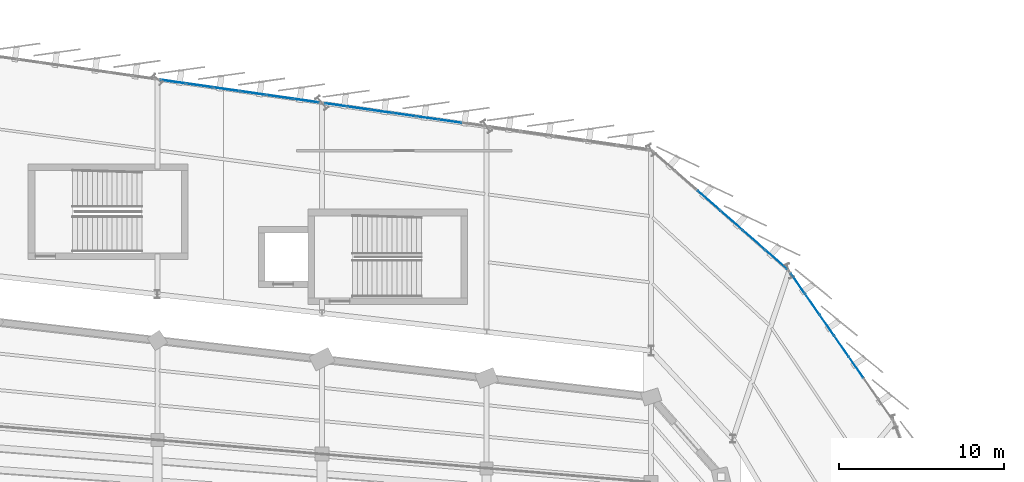
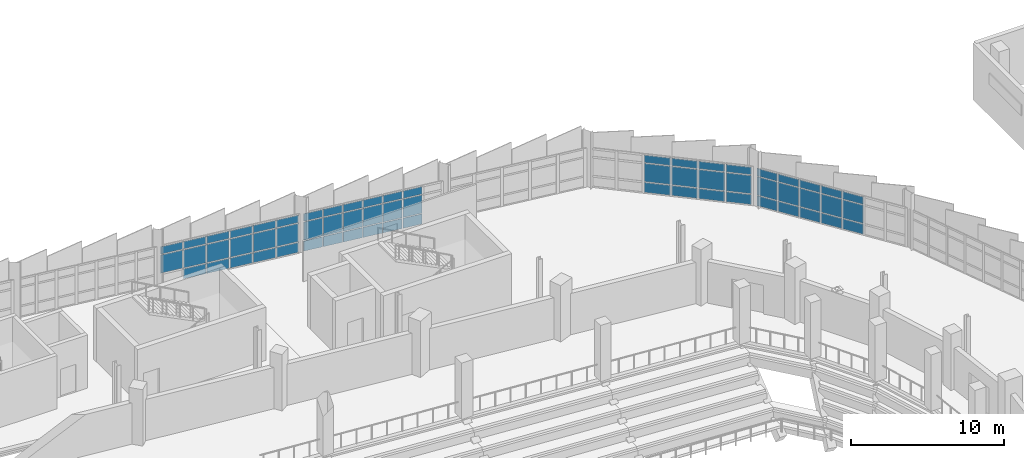
# One storey, part 102 of 134: 62 plates, 4 elements without a shape of their own.
"""IFC4 building model written with IfcOpenShell, lengths in metres."""

from ifc_helpers import new_model, si_unit, direction, frame, origin, origin_2d, place, context, subcontext, project, spatial, rectangle, extrude, material, layer, layer_set, type_object, element, aggregate, save


model = new_model("IFC4")

# Units and contexts
model_context = context("Model", 3, precision=1e-05, world=origin(), true_north=direction((0.0, 1.0)))
body_context = subcontext(model_context, "Body", "Model", "MODEL_VIEW")
ifc_project = project(units=[si_unit("LENGTHUNIT", "METRE"), si_unit("AREAUNIT", "SQUARE_METRE"), si_unit("VOLUMEUNIT", "CUBIC_METRE"), si_unit("PLANEANGLEUNIT", "RADIAN"), si_unit("MASSUNIT", "GRAM", prefix="KILO")], contexts=[model_context])

# Site, building, storey
site_placement = place(None, origin())
site = spatial("IfcSite", under=ifc_project, at=site_placement, CompositionType="ELEMENT")
building_placement = place(site_placement, origin())
building = spatial("IfcBuilding", under=site, at=building_placement, Name="Sohan Crest Arena", CompositionType="ELEMENT")
storey_placement = place(building_placement, frame((0.0, 0.0, 4.5)))
storey = spatial("IfcBuildingStorey", under=building, at=storey_placement, Name="L01", CompositionType="ELEMENT", Elevation=4.5)

# Curtain wall, plates
ifc_material_1 = material(Name="Thermally broken anodised aluminium", Category="aluminium")
ifc_layer_1 = layer(ifc_material_1, 0.18994140625, Name="Thermally broken anodised aluminium")
ifc_layer_set_1 = layer_set([ifc_layer_1], Name="Thermally broken anodised aluminium")
curtain_wall_type_1 = type_object("IfcCurtainWallType", Name="ARC-CW05", PredefinedType="NOTDEFINED", material=ifc_layer_set_1)
curtain_wall_1_placement = place(storey_placement, origin())
curtain_wall_1 = element("IfcCurtainWall", 1, at=curtain_wall_1_placement, inside=storey, type_object=curtain_wall_type_1, Name="Unitised curtain wall CW-044", PredefinedType="NOTDEFINED")
ifc_material_2 = material(Name="Low-E double-glazed insulated glass", Category="glass")
ifc_layer_2 = layer(ifc_material_2, 0.028076171875, Name="Low-E double-glazed insulated glass")
ifc_layer_set_2 = layer_set([ifc_layer_2], Name="Low-E double-glazed insulated glass")
plate_type_1 = type_object("IfcPlateType", Name="ARC-CNP01", PredefinedType="CURTAIN_PANEL", material=ifc_layer_set_2)
plate_1_placement = place(storey_placement, frame((155.783447265625, 117.745361328125, 0.06494140625), z_axis=(0.0, 0.0, 1.0), x_axis=(-0.989945428602, 0.141449808729, 0.0)))
plate_1 = element("IfcPlate", 2, at=plate_1_placement, type_object=plate_type_1, Name="CW-044 panel 2.1", PredefinedType="CURTAIN_PANEL", context=body_context, shape_type="SweptSolid", body=[
    extrude(rectangle(XDim=1.345947265625, YDim=0.028076171875, at=origin_2d()), origin(), (0.0, 0.0, 1.0), 0.802490234375),
])
plate_2_placement = place(storey_placement, frame((155.783447265625, 117.745361328125, 0.932373046875), z_axis=(0.0, 0.0, 1.0), x_axis=(-0.989945428602, 0.141449808729, 0.0)))
plate_2 = element("IfcPlate", 3, at=plate_2_placement, type_object=plate_type_1, Name="CW-044 panel 2.2", PredefinedType="CURTAIN_PANEL", context=body_context, shape_type="SweptSolid", body=[
    extrude(rectangle(XDim=1.345947265625, YDim=0.028076171875, at=origin_2d()), origin(), (0.0, 0.0, 1.0), 1.455078125),
])
plate_3_placement = place(storey_placement, frame((155.783447265625, 117.745361328125, 2.452392578125), z_axis=(0.0, 0.0, 1.0), x_axis=(-0.989945428602, 0.141449808729, 0.0)))
plate_3 = element("IfcPlate", 4, at=plate_3_placement, type_object=plate_type_1, Name="CW-044 panel 2.3", PredefinedType="CURTAIN_PANEL", context=body_context, shape_type="SweptSolid", body=[
    extrude(rectangle(XDim=1.345947265625, YDim=0.028076171875, at=origin_2d()), origin(), (0.0, 0.0, 1.0), 0.6025390625),
])
plate_4_placement = place(storey_placement, frame((154.3916015625, 117.944091796875, 0.06494140625), z_axis=(0.0, 0.0, 1.0), x_axis=(-0.989945428602, 0.141449808729, 0.0)))
plate_4 = element("IfcPlate", 5, at=plate_4_placement, type_object=plate_type_1, Name="CW-044 panel 3.1", PredefinedType="CURTAIN_PANEL", context=body_context, shape_type="SweptSolid", body=[
    extrude(rectangle(XDim=1.345947265625, YDim=0.028076171875, at=origin_2d()), origin(), (0.0, 0.0, 1.0), 0.802490234375),
])
plate_5_placement = place(storey_placement, frame((154.3916015625, 117.944091796875, 0.932373046875), z_axis=(0.0, 0.0, 1.0), x_axis=(-0.989945428602, 0.141449808729, 0.0)))
plate_5 = element("IfcPlate", 6, at=plate_5_placement, type_object=plate_type_1, Name="CW-044 panel 3.2", PredefinedType="CURTAIN_PANEL", context=body_context, shape_type="SweptSolid", body=[
    extrude(rectangle(XDim=1.345947265625, YDim=0.028076171875, at=origin_2d()), origin(), (0.0, 0.0, 1.0), 1.455078125),
])
plate_6_placement = place(storey_placement, frame((154.3916015625, 117.944091796875, 2.452392578125), z_axis=(0.0, 0.0, 1.0), x_axis=(-0.989945428602, 0.141449808729, 0.0)))
plate_6 = element("IfcPlate", 7, at=plate_6_placement, type_object=plate_type_1, Name="CW-044 panel 3.3", PredefinedType="CURTAIN_PANEL", context=body_context, shape_type="SweptSolid", body=[
    extrude(rectangle(XDim=1.345947265625, YDim=0.028076171875, at=origin_2d()), origin(), (0.0, 0.0, 1.0), 0.6025390625),
])
plate_7_placement = place(storey_placement, frame((153.0, 118.14306640625, 0.06494140625), z_axis=(0.0, 0.0, 1.0), x_axis=(-0.989945428602, 0.141449808729, 0.0)))
plate_7 = element("IfcPlate", 8, at=plate_7_placement, type_object=plate_type_1, Name="CW-044 panel 4.1", PredefinedType="CURTAIN_PANEL", context=body_context, shape_type="SweptSolid", body=[
    extrude(rectangle(XDim=1.345947265625, YDim=0.028076171875, at=origin_2d()), origin(), (0.0, 0.0, 1.0), 0.802490234375),
])
plate_8_placement = place(storey_placement, frame((153.0, 118.14306640625, 0.932373046875), z_axis=(0.0, 0.0, 1.0), x_axis=(-0.989945428602, 0.141449808729, 0.0)))
plate_8 = element("IfcPlate", 9, at=plate_8_placement, type_object=plate_type_1, Name="CW-044 panel 4.2", PredefinedType="CURTAIN_PANEL", context=body_context, shape_type="SweptSolid", body=[
    extrude(rectangle(XDim=1.345947265625, YDim=0.028076171875, at=origin_2d()), origin(), (0.0, 0.0, 1.0), 1.455078125),
])
plate_9_placement = place(storey_placement, frame((153.0, 118.14306640625, 2.452392578125), z_axis=(0.0, 0.0, 1.0), x_axis=(-0.989945428602, 0.141449808729, 0.0)))
plate_9 = element("IfcPlate", 10, at=plate_9_placement, type_object=plate_type_1, Name="CW-044 panel 4.3", PredefinedType="CURTAIN_PANEL", context=body_context, shape_type="SweptSolid", body=[
    extrude(rectangle(XDim=1.345947265625, YDim=0.028076171875, at=origin_2d()), origin(), (0.0, 0.0, 1.0), 0.6025390625),
])
plate_10_placement = place(storey_placement, frame((151.6083984375, 118.341796875, 0.06494140625), z_axis=(0.0, 0.0, 1.0), x_axis=(-0.989945428602, 0.141449808729, 0.0)))
plate_10 = element("IfcPlate", 11, at=plate_10_placement, type_object=plate_type_1, Name="CW-044 panel 5.1", PredefinedType="CURTAIN_PANEL", context=body_context, shape_type="SweptSolid", body=[
    extrude(rectangle(XDim=1.345947265625, YDim=0.028076171875, at=origin_2d()), origin(), (0.0, 0.0, 1.0), 0.802490234375),
])
plate_11_placement = place(storey_placement, frame((151.6083984375, 118.341796875, 0.932373046875), z_axis=(0.0, 0.0, 1.0), x_axis=(-0.989945428602, 0.141449808729, 0.0)))
plate_11 = element("IfcPlate", 12, at=plate_11_placement, type_object=plate_type_1, Name="CW-044 panel 5.2", PredefinedType="CURTAIN_PANEL", context=body_context, shape_type="SweptSolid", body=[
    extrude(rectangle(XDim=1.345947265625, YDim=0.028076171875, at=origin_2d()), origin(), (0.0, 0.0, 1.0), 1.455078125),
])
plate_12_placement = place(storey_placement, frame((151.6083984375, 118.341796875, 2.452392578125), z_axis=(0.0, 0.0, 1.0), x_axis=(-0.989945428602, 0.141449808729, 0.0)))
plate_12 = element("IfcPlate", 13, at=plate_12_placement, type_object=plate_type_1, Name="CW-044 panel 5.3", PredefinedType="CURTAIN_PANEL", context=body_context, shape_type="SweptSolid", body=[
    extrude(rectangle(XDim=1.345947265625, YDim=0.028076171875, at=origin_2d()), origin(), (0.0, 0.0, 1.0), 0.6025390625),
])
plate_13_placement = place(storey_placement, frame((150.216552734375, 118.540771484375, 0.06494140625), z_axis=(0.0, 0.0, 1.0), x_axis=(-0.989945428602, 0.141449808729, 0.0)))
plate_13 = element("IfcPlate", 14, at=plate_13_placement, type_object=plate_type_1, Name="CW-044 panel 6.1", PredefinedType="CURTAIN_PANEL", context=body_context, shape_type="SweptSolid", body=[
    extrude(rectangle(XDim=1.345947265625, YDim=0.028076171875, at=origin_2d()), origin(), (0.0, 0.0, 1.0), 0.802490234375),
])
plate_14_placement = place(storey_placement, frame((150.216552734375, 118.540771484375, 0.932373046875), z_axis=(0.0, 0.0, 1.0), x_axis=(-0.989945428602, 0.141449808729, 0.0)))
plate_14 = element("IfcPlate", 15, at=plate_14_placement, type_object=plate_type_1, Name="CW-044 panel 6.2", PredefinedType="CURTAIN_PANEL", context=body_context, shape_type="SweptSolid", body=[
    extrude(rectangle(XDim=1.345947265625, YDim=0.028076171875, at=origin_2d()), origin(), (0.0, 0.0, 1.0), 1.455078125),
])
plate_15_placement = place(storey_placement, frame((150.216552734375, 118.540771484375, 2.452392578125), z_axis=(0.0, 0.0, 1.0), x_axis=(-0.989945428602, 0.141449808729, 0.0)))
plate_15 = element("IfcPlate", 16, at=plate_15_placement, type_object=plate_type_1, Name="CW-044 panel 6.3", PredefinedType="CURTAIN_PANEL", context=body_context, shape_type="SweptSolid", body=[
    extrude(rectangle(XDim=1.345947265625, YDim=0.028076171875, at=origin_2d()), origin(), (0.0, 0.0, 1.0), 0.6025390625),
])
plate_16_placement = place(storey_placement, frame((148.839599609375, 118.737548828125, 0.06494140625), z_axis=(0.0, 0.0, 1.0), x_axis=(-0.989945428602, 0.141449808729, 0.0)))
plate_16 = element("IfcPlate", 17, at=plate_16_placement, type_object=plate_type_1, Name="CW-044 panel 7.1", PredefinedType="CURTAIN_PANEL", context=body_context, shape_type="SweptSolid", body=[
    extrude(rectangle(XDim=1.31591796875, YDim=0.028076171875, at=origin_2d()), origin(), (0.0, 0.0, 1.0), 0.802490234375),
])
plate_17_placement = place(storey_placement, frame((148.839599609375, 118.737548828125, 0.932373046875), z_axis=(0.0, 0.0, 1.0), x_axis=(-0.989945428602, 0.141449808729, 0.0)))
plate_17 = element("IfcPlate", 18, at=plate_17_placement, type_object=plate_type_1, Name="CW-044 panel 7.2", PredefinedType="CURTAIN_PANEL", context=body_context, shape_type="SweptSolid", body=[
    extrude(rectangle(XDim=1.31591796875, YDim=0.028076171875, at=origin_2d()), origin(), (0.0, 0.0, 1.0), 1.455078125),
])
plate_18_placement = place(storey_placement, frame((148.839599609375, 118.737548828125, 2.452392578125), z_axis=(0.0, 0.0, 1.0), x_axis=(-0.989945428602, 0.141449808729, 0.0)))
plate_18 = element("IfcPlate", 19, at=plate_18_placement, type_object=plate_type_1, Name="CW-044 panel 7.3", PredefinedType="CURTAIN_PANEL", context=body_context, shape_type="SweptSolid", body=[
    extrude(rectangle(XDim=1.31591796875, YDim=0.028076171875, at=origin_2d()), origin(), (0.0, 0.0, 1.0), 0.6025390625),
])
aggregate(curtain_wall_1, [plate_1, plate_2, plate_3, plate_4, plate_5, plate_6, plate_7, plate_8, plate_9, plate_10, plate_11, plate_12, plate_13, plate_14, plate_15, plate_16, plate_17, plate_18])

ifc_layer_3 = layer(ifc_material_1, 0.199951171875, Name="Thermally broken anodised aluminium")
ifc_layer_set_3 = layer_set([ifc_layer_3], Name="Thermally broken anodised aluminium")
curtain_wall_type_2 = type_object("IfcCurtainWallType", Name="ARC-CW02", PredefinedType="NOTDEFINED", material=ifc_layer_set_3)
curtain_wall_2_placement = place(storey_placement, origin())
curtain_wall_2 = element("IfcCurtainWall", 20, at=curtain_wall_2_placement, inside=storey, type_object=curtain_wall_type_2, Name="Unitised curtain wall CW-041", PredefinedType="NOTDEFINED")
ifc_layer_4 = layer(ifc_material_2, 0.031982421875, Name="Low-E double-glazed insulated glass")
ifc_layer_set_4 = layer_set([ifc_layer_4], Name="Low-E double-glazed insulated glass")
plate_type_2 = type_object("IfcPlateType", Name="ARC-CNP02", PredefinedType="CURTAIN_PANEL", material=ifc_layer_set_4)
plate_19_placement = place(storey_placement, frame((180.454345703125, 102.78955078125, 0.06494140625), z_axis=(0.0, 0.0, 1.0), x_axis=(-0.570908450107, 0.821013728019, 0.0)))
plate_19 = element("IfcPlate", 21, at=plate_19_placement, type_object=plate_type_2, Name="CW-041 panel 3.1", PredefinedType="CURTAIN_PANEL", context=body_context, shape_type="SweptSolid", body=[
    extrude(rectangle(XDim=1.490966796875, YDim=0.031982421875, at=origin_2d()), origin(), (0.0, 0.0, 1.0), 0.802490234375),
])
plate_20_placement = place(storey_placement, frame((180.454345703125, 102.78955078125, 0.932373046875), z_axis=(0.0, 0.0, 1.0), x_axis=(-0.570908450107, 0.821013728019, 0.0)))
plate_20 = element("IfcPlate", 22, at=plate_20_placement, type_object=plate_type_2, Name="CW-041 panel 3.2", PredefinedType="CURTAIN_PANEL", context=body_context, shape_type="SweptSolid", body=[
    extrude(rectangle(XDim=1.490966796875, YDim=0.031982421875, at=origin_2d()), origin(), (0.0, 0.0, 1.0), 1.455078125),
])
plate_21_placement = place(storey_placement, frame((180.454345703125, 102.78955078125, 2.452392578125), z_axis=(0.0, 0.0, 1.0), x_axis=(-0.570908450107, 0.821013728019, 0.0)))
plate_21 = element("IfcPlate", 23, at=plate_21_placement, type_object=plate_type_2, Name="CW-041 panel 3.3", PredefinedType="CURTAIN_PANEL", context=body_context, shape_type="SweptSolid", body=[
    extrude(rectangle(XDim=1.490966796875, YDim=0.031982421875, at=origin_2d()), origin(), (0.0, 0.0, 1.0), 0.6025390625),
])
plate_22_placement = place(storey_placement, frame((179.56591796875, 104.06689453125, 0.06494140625), z_axis=(0.0, 0.0, 1.0), x_axis=(-0.570908450107, 0.821013728019, 0.0)))
plate_22 = element("IfcPlate", 24, at=plate_22_placement, type_object=plate_type_2, Name="CW-041 panel 4.1", PredefinedType="CURTAIN_PANEL", context=body_context, shape_type="SweptSolid", body=[
    extrude(rectangle(XDim=1.490966796875, YDim=0.031982421875, at=origin_2d()), origin(), (0.0, 0.0, 1.0), 0.802490234375),
])
plate_23_placement = place(storey_placement, frame((179.56591796875, 104.06689453125, 0.932373046875), z_axis=(0.0, 0.0, 1.0), x_axis=(-0.570908450107, 0.821013728019, 0.0)))
plate_23 = element("IfcPlate", 25, at=plate_23_placement, type_object=plate_type_2, Name="CW-041 panel 4.2", PredefinedType="CURTAIN_PANEL", context=body_context, shape_type="SweptSolid", body=[
    extrude(rectangle(XDim=1.490966796875, YDim=0.031982421875, at=origin_2d()), origin(), (0.0, 0.0, 1.0), 1.455078125),
])
plate_24_placement = place(storey_placement, frame((179.56591796875, 104.06689453125, 2.452392578125), z_axis=(0.0, 0.0, 1.0), x_axis=(-0.570908450107, 0.821013728019, 0.0)))
plate_24 = element("IfcPlate", 26, at=plate_24_placement, type_object=plate_type_2, Name="CW-041 panel 4.3", PredefinedType="CURTAIN_PANEL", context=body_context, shape_type="SweptSolid", body=[
    extrude(rectangle(XDim=1.490966796875, YDim=0.031982421875, at=origin_2d()), origin(), (0.0, 0.0, 1.0), 0.6025390625),
])
plate_25_placement = place(storey_placement, frame((178.677734375, 105.344482421875, 0.06494140625), z_axis=(0.0, 0.0, 1.0), x_axis=(-0.570908450107, 0.821013728019, 0.0)))
plate_25 = element("IfcPlate", 27, at=plate_25_placement, type_object=plate_type_2, Name="CW-041 panel 5.1", PredefinedType="CURTAIN_PANEL", context=body_context, shape_type="SweptSolid", body=[
    extrude(rectangle(XDim=1.490966796875, YDim=0.031982421875, at=origin_2d()), origin(), (0.0, 0.0, 1.0), 0.802490234375),
])
plate_26_placement = place(storey_placement, frame((178.677734375, 105.344482421875, 0.932373046875), z_axis=(0.0, 0.0, 1.0), x_axis=(-0.570908450107, 0.821013728019, 0.0)))
plate_26 = element("IfcPlate", 28, at=plate_26_placement, type_object=plate_type_2, Name="CW-041 panel 5.2", PredefinedType="CURTAIN_PANEL", context=body_context, shape_type="SweptSolid", body=[
    extrude(rectangle(XDim=1.490966796875, YDim=0.031982421875, at=origin_2d()), origin(), (0.0, 0.0, 1.0), 1.455078125),
])
plate_27_placement = place(storey_placement, frame((178.677734375, 105.344482421875, 2.452392578125), z_axis=(0.0, 0.0, 1.0), x_axis=(-0.570908450107, 0.821013728019, 0.0)))
plate_27 = element("IfcPlate", 29, at=plate_27_placement, type_object=plate_type_2, Name="CW-041 panel 5.3", PredefinedType="CURTAIN_PANEL", context=body_context, shape_type="SweptSolid", body=[
    extrude(rectangle(XDim=1.490966796875, YDim=0.031982421875, at=origin_2d()), origin(), (0.0, 0.0, 1.0), 0.6025390625),
])
plate_28_placement = place(storey_placement, frame((177.789306640625, 106.621826171875, 0.06494140625), z_axis=(0.0, 0.0, 1.0), x_axis=(-0.570908450107, 0.821013728019, 0.0)))
plate_28 = element("IfcPlate", 30, at=plate_28_placement, type_object=plate_type_2, Name="CW-041 panel 6.1", PredefinedType="CURTAIN_PANEL", context=body_context, shape_type="SweptSolid", body=[
    extrude(rectangle(XDim=1.490966796875, YDim=0.031982421875, at=origin_2d()), origin(), (0.0, 0.0, 1.0), 0.802490234375),
])
plate_29_placement = place(storey_placement, frame((177.789306640625, 106.621826171875, 0.932373046875), z_axis=(0.0, 0.0, 1.0), x_axis=(-0.570908450107, 0.821013728019, 0.0)))
plate_29 = element("IfcPlate", 31, at=plate_29_placement, type_object=plate_type_2, Name="CW-041 panel 6.2", PredefinedType="CURTAIN_PANEL", context=body_context, shape_type="SweptSolid", body=[
    extrude(rectangle(XDim=1.490966796875, YDim=0.031982421875, at=origin_2d()), origin(), (0.0, 0.0, 1.0), 1.455078125),
])
plate_30_placement = place(storey_placement, frame((177.789306640625, 106.621826171875, 2.452392578125), z_axis=(0.0, 0.0, 1.0), x_axis=(-0.570908450107, 0.821013728019, 0.0)))
plate_30 = element("IfcPlate", 32, at=plate_30_placement, type_object=plate_type_2, Name="CW-041 panel 6.3", PredefinedType="CURTAIN_PANEL", context=body_context, shape_type="SweptSolid", body=[
    extrude(rectangle(XDim=1.490966796875, YDim=0.031982421875, at=origin_2d()), origin(), (0.0, 0.0, 1.0), 0.6025390625),
])
plate_31_placement = place(storey_placement, frame((176.910400390625, 107.885986328125, 0.06494140625), z_axis=(0.0, 0.0, 1.0), x_axis=(-0.570908450107, 0.821013728019, 0.0)))
plate_31 = element("IfcPlate", 33, at=plate_31_placement, type_object=plate_type_2, Name="CW-041 panel 7.1", PredefinedType="CURTAIN_PANEL", context=body_context, shape_type="SweptSolid", body=[
    extrude(rectangle(XDim=1.45849609375, YDim=0.031982421875, at=origin_2d()), origin(), (0.0, 0.0, 1.0), 0.802490234375),
])
plate_32_placement = place(storey_placement, frame((176.910400390625, 107.885986328125, 0.932373046875), z_axis=(0.0, 0.0, 1.0), x_axis=(-0.570908450107, 0.821013728019, 0.0)))
plate_32 = element("IfcPlate", 34, at=plate_32_placement, type_object=plate_type_2, Name="CW-041 panel 7.2", PredefinedType="CURTAIN_PANEL", context=body_context, shape_type="SweptSolid", body=[
    extrude(rectangle(XDim=1.45849609375, YDim=0.031982421875, at=origin_2d()), origin(), (0.0, 0.0, 1.0), 1.455078125),
])
plate_33_placement = place(storey_placement, frame((176.910400390625, 107.885986328125, 2.452392578125), z_axis=(0.0, 0.0, 1.0), x_axis=(-0.570908450107, 0.821013728019, 0.0)))
plate_33 = element("IfcPlate", 35, at=plate_33_placement, type_object=plate_type_2, Name="CW-041 panel 7.3", PredefinedType="CURTAIN_PANEL", context=body_context, shape_type="SweptSolid", body=[
    extrude(rectangle(XDim=1.45849609375, YDim=0.031982421875, at=origin_2d()), origin(), (0.0, 0.0, 1.0), 0.6025390625),
])
aggregate(curtain_wall_2, [plate_19, plate_20, plate_21, plate_22, plate_23, plate_24, plate_25, plate_26, plate_27, plate_28, plate_29, plate_30, plate_31, plate_32, plate_33])

ifc_layer_5 = layer(ifc_material_1, 0.2099609375, Name="Thermally broken anodised aluminium")
ifc_layer_set_5 = layer_set([ifc_layer_5], Name="Thermally broken anodised aluminium")
curtain_wall_type_3 = type_object("IfcCurtainWallType", Name="ARC-CW06", PredefinedType="NOTDEFINED", material=ifc_layer_set_5)
curtain_wall_3_placement = place(storey_placement, origin())
curtain_wall_3 = element("IfcCurtainWall", 36, at=curtain_wall_3_placement, inside=storey, type_object=curtain_wall_type_3, Name="Unitised curtain wall CW-045", PredefinedType="NOTDEFINED")
plate_34_placement = place(storey_placement, frame((147.04296875, 118.993408203125, 0.070068359375), z_axis=(0.0, 0.0, 1.0), x_axis=(-0.989931194722, 0.141549389674, 0.0)))
plate_34 = element("IfcPlate", 37, at=plate_34_placement, type_object=plate_type_2, Name="CW-045 panel 1.1", PredefinedType="CURTAIN_PANEL", context=body_context, shape_type="SweptSolid", body=[
    extrude(rectangle(XDim=1.542724609375, YDim=0.031982421875, at=origin_2d()), origin(), (0.0, 0.0, 1.0), 0.794921875),
])
plate_35_placement = place(storey_placement, frame((147.04296875, 118.993408203125, 0.93505859375), z_axis=(0.0, 0.0, 1.0), x_axis=(-0.989931194722, 0.141549389674, 0.0)))
plate_35 = element("IfcPlate", 38, at=plate_35_placement, type_object=plate_type_2, Name="CW-045 panel 1.2", PredefinedType="CURTAIN_PANEL", context=body_context, shape_type="SweptSolid", body=[
    extrude(rectangle(XDim=1.542724609375, YDim=0.031982421875, at=origin_2d()), origin(), (0.0, 0.0, 1.0), 1.449951171875),
])
plate_36_placement = place(storey_placement, frame((147.04296875, 118.993408203125, 2.455078125), z_axis=(0.0, 0.0, 1.0), x_axis=(-0.989931194722, 0.141549389674, 0.0)))
plate_36 = element("IfcPlate", 39, at=plate_36_placement, type_object=plate_type_2, Name="CW-045 panel 1.3", PredefinedType="CURTAIN_PANEL", context=body_context, shape_type="SweptSolid", body=[
    extrude(rectangle(XDim=1.542724609375, YDim=0.031982421875, at=origin_2d()), origin(), (0.0, 0.0, 1.0), 0.594970703125),
])
plate_37_placement = place(storey_placement, frame((145.435546875, 119.22314453125, 0.070068359375), z_axis=(0.0, 0.0, 1.0), x_axis=(-0.989931194722, 0.141549389674, 0.0)))
plate_37 = element("IfcPlate", 40, at=plate_37_placement, type_object=plate_type_2, Name="CW-045 panel 2.1", PredefinedType="CURTAIN_PANEL", context=body_context, shape_type="SweptSolid", body=[
    extrude(rectangle(XDim=1.5751953125, YDim=0.031982421875, at=origin_2d()), origin(), (0.0, 0.0, 1.0), 0.794921875),
])
plate_38_placement = place(storey_placement, frame((145.435546875, 119.22314453125, 0.93505859375), z_axis=(0.0, 0.0, 1.0), x_axis=(-0.989931194722, 0.141549389674, 0.0)))
plate_38 = element("IfcPlate", 41, at=plate_38_placement, type_object=plate_type_2, Name="CW-045 panel 2.2", PredefinedType="CURTAIN_PANEL", context=body_context, shape_type="SweptSolid", body=[
    extrude(rectangle(XDim=1.5751953125, YDim=0.031982421875, at=origin_2d()), origin(), (0.0, 0.0, 1.0), 1.449951171875),
])
plate_39_placement = place(storey_placement, frame((145.435546875, 119.22314453125, 2.455078125), z_axis=(0.0, 0.0, 1.0), x_axis=(-0.989931194722, 0.141549389674, 0.0)))
plate_39 = element("IfcPlate", 42, at=plate_39_placement, type_object=plate_type_2, Name="CW-045 panel 2.3", PredefinedType="CURTAIN_PANEL", context=body_context, shape_type="SweptSolid", body=[
    extrude(rectangle(XDim=1.5751953125, YDim=0.031982421875, at=origin_2d()), origin(), (0.0, 0.0, 1.0), 0.594970703125),
])
plate_40_placement = place(storey_placement, frame((143.811767578125, 119.455322265625, 0.070068359375), z_axis=(0.0, 0.0, 1.0), x_axis=(-0.989931194722, 0.141549389674, 0.0)))
plate_40 = element("IfcPlate", 43, at=plate_40_placement, type_object=plate_type_2, Name="CW-045 panel 3.1", PredefinedType="CURTAIN_PANEL", context=body_context, shape_type="SweptSolid", body=[
    extrude(rectangle(XDim=1.5751953125, YDim=0.031982421875, at=origin_2d()), origin(), (0.0, 0.0, 1.0), 0.794921875),
])
plate_41_placement = place(storey_placement, frame((143.811767578125, 119.455322265625, 0.93505859375), z_axis=(0.0, 0.0, 1.0), x_axis=(-0.989931194722, 0.141549389674, 0.0)))
plate_41 = element("IfcPlate", 44, at=plate_41_placement, type_object=plate_type_2, Name="CW-045 panel 3.2", PredefinedType="CURTAIN_PANEL", context=body_context, shape_type="SweptSolid", body=[
    extrude(rectangle(XDim=1.5751953125, YDim=0.031982421875, at=origin_2d()), origin(), (0.0, 0.0, 1.0), 1.449951171875),
])
plate_42_placement = place(storey_placement, frame((143.811767578125, 119.455322265625, 2.455078125), z_axis=(0.0, 0.0, 1.0), x_axis=(-0.989931194722, 0.141549389674, 0.0)))
plate_42 = element("IfcPlate", 45, at=plate_42_placement, type_object=plate_type_2, Name="CW-045 panel 3.3", PredefinedType="CURTAIN_PANEL", context=body_context, shape_type="SweptSolid", body=[
    extrude(rectangle(XDim=1.5751953125, YDim=0.031982421875, at=origin_2d()), origin(), (0.0, 0.0, 1.0), 0.594970703125),
])
plate_43_placement = place(storey_placement, frame((142.188232421875, 119.6875, 0.070068359375), z_axis=(0.0, 0.0, 1.0), x_axis=(-0.989931194722, 0.141549389674, 0.0)))
plate_43 = element("IfcPlate", 46, at=plate_43_placement, type_object=plate_type_2, Name="CW-045 panel 4.1", PredefinedType="CURTAIN_PANEL", context=body_context, shape_type="SweptSolid", body=[
    extrude(rectangle(XDim=1.5751953125, YDim=0.031982421875, at=origin_2d()), origin(), (0.0, 0.0, 1.0), 0.794921875),
])
plate_44_placement = place(storey_placement, frame((142.188232421875, 119.6875, 0.93505859375), z_axis=(0.0, 0.0, 1.0), x_axis=(-0.989931194722, 0.141549389674, 0.0)))
plate_44 = element("IfcPlate", 47, at=plate_44_placement, type_object=plate_type_2, Name="CW-045 panel 4.2", PredefinedType="CURTAIN_PANEL", context=body_context, shape_type="SweptSolid", body=[
    extrude(rectangle(XDim=1.5751953125, YDim=0.031982421875, at=origin_2d()), origin(), (0.0, 0.0, 1.0), 1.449951171875),
])
plate_45_placement = place(storey_placement, frame((142.188232421875, 119.6875, 2.455078125), z_axis=(0.0, 0.0, 1.0), x_axis=(-0.989931194722, 0.141549389674, 0.0)))
plate_45 = element("IfcPlate", 48, at=plate_45_placement, type_object=plate_type_2, Name="CW-045 panel 4.3", PredefinedType="CURTAIN_PANEL", context=body_context, shape_type="SweptSolid", body=[
    extrude(rectangle(XDim=1.5751953125, YDim=0.031982421875, at=origin_2d()), origin(), (0.0, 0.0, 1.0), 0.594970703125),
])
plate_46_placement = place(storey_placement, frame((140.564453125, 119.919677734375, 0.070068359375), z_axis=(0.0, 0.0, 1.0), x_axis=(-0.989931194722, 0.141549389674, 0.0)))
plate_46 = element("IfcPlate", 49, at=plate_46_placement, type_object=plate_type_2, Name="CW-045 panel 5.1", PredefinedType="CURTAIN_PANEL", context=body_context, shape_type="SweptSolid", body=[
    extrude(rectangle(XDim=1.5751953125, YDim=0.031982421875, at=origin_2d()), origin(), (0.0, 0.0, 1.0), 0.794921875),
])
plate_47_placement = place(storey_placement, frame((140.564453125, 119.919677734375, 0.93505859375), z_axis=(0.0, 0.0, 1.0), x_axis=(-0.989931194722, 0.141549389674, 0.0)))
plate_47 = element("IfcPlate", 50, at=plate_47_placement, type_object=plate_type_2, Name="CW-045 panel 5.2", PredefinedType="CURTAIN_PANEL", context=body_context, shape_type="SweptSolid", body=[
    extrude(rectangle(XDim=1.5751953125, YDim=0.031982421875, at=origin_2d()), origin(), (0.0, 0.0, 1.0), 1.449951171875),
])
plate_48_placement = place(storey_placement, frame((140.564453125, 119.919677734375, 2.455078125), z_axis=(0.0, 0.0, 1.0), x_axis=(-0.989931194722, 0.141549389674, 0.0)))
plate_48 = element("IfcPlate", 51, at=plate_48_placement, type_object=plate_type_2, Name="CW-045 panel 5.3", PredefinedType="CURTAIN_PANEL", context=body_context, shape_type="SweptSolid", body=[
    extrude(rectangle(XDim=1.5751953125, YDim=0.031982421875, at=origin_2d()), origin(), (0.0, 0.0, 1.0), 0.594970703125),
])
plate_49_placement = place(storey_placement, frame((138.95703125, 120.149658203125, 0.93505859375), z_axis=(0.0, 0.0, 1.0), x_axis=(-0.989931194722, 0.141549389674, 0.0)))
plate_49 = element("IfcPlate", 52, at=plate_49_placement, type_object=plate_type_2, Name="CW-045 panel 6.2", PredefinedType="CURTAIN_PANEL", context=body_context, shape_type="SweptSolid", body=[
    extrude(rectangle(XDim=1.542724609375, YDim=0.031982421875, at=origin_2d()), origin(), (0.0, 0.0, 1.0), 1.449951171875),
])
plate_50_placement = place(storey_placement, frame((138.95703125, 120.149658203125, 2.455078125), z_axis=(0.0, 0.0, 1.0), x_axis=(-0.989931194722, 0.141549389674, 0.0)))
plate_50 = element("IfcPlate", 53, at=plate_50_placement, type_object=plate_type_2, Name="CW-045 panel 6.3", PredefinedType="CURTAIN_PANEL", context=body_context, shape_type="SweptSolid", body=[
    extrude(rectangle(XDim=1.542724609375, YDim=0.031982421875, at=origin_2d()), origin(), (0.0, 0.0, 1.0), 0.594970703125),
])
aggregate(curtain_wall_3, [plate_34, plate_35, plate_36, plate_37, plate_38, plate_39, plate_40, plate_41, plate_42, plate_43, plate_44, plate_45, plate_46, plate_47, plate_48, plate_49, plate_50])

ifc_layer_6 = layer(ifc_material_1, 0.219970703125, Name="Thermally broken anodised aluminium")
ifc_layer_set_6 = layer_set([ifc_layer_6], Name="Thermally broken anodised aluminium")
curtain_wall_type_4 = type_object("IfcCurtainWallType", Name="ARC-CW03", PredefinedType="NOTDEFINED", material=ifc_layer_set_6)
curtain_wall_4_placement = place(storey_placement, origin())
curtain_wall_4 = element("IfcCurtainWall", 54, at=curtain_wall_4_placement, inside=storey, type_object=curtain_wall_type_4, Name="Unitised curtain wall CW-042", PredefinedType="NOTDEFINED")
ifc_material_3 = material(Name="Ceramic-fritted solar-control insulated glass", Category="glass")
ifc_layer_7 = layer(ifc_material_3, 0.035888671875, Name="Ceramic-fritted solar-control insulated glass")
ifc_layer_set_7 = layer_set([ifc_layer_7], Name="Ceramic-fritted solar-control insulated glass")
plate_type_3 = type_object("IfcPlateType", Name="ARC-CNP03", PredefinedType="CURTAIN_PANEL", material=ifc_layer_set_7)
plate_51_placement = place(storey_placement, frame((175.589599609375, 109.341064453125, 0.070068359375), z_axis=(0.0, 0.0, 1.0), x_axis=(-0.751694427881, 0.659511551903, 0.0)))
plate_51 = element("IfcPlate", 55, at=plate_51_placement, type_object=plate_type_3, Name="CW-042 panel 1.1", PredefinedType="CURTAIN_PANEL", context=body_context, shape_type="SweptSolid", body=[
    extrude(rectangle(XDim=1.710205078125, YDim=0.035888671875, at=origin_2d()), origin(), (0.0, 0.0, 1.0), 0.794921875),
])
plate_52_placement = place(storey_placement, frame((175.589599609375, 109.341064453125, 0.93505859375), z_axis=(0.0, 0.0, 1.0), x_axis=(-0.751694427881, 0.659511551903, 0.0)))
plate_52 = element("IfcPlate", 56, at=plate_52_placement, type_object=plate_type_3, Name="CW-042 panel 1.2", PredefinedType="CURTAIN_PANEL", context=body_context, shape_type="SweptSolid", body=[
    extrude(rectangle(XDim=1.710205078125, YDim=0.035888671875, at=origin_2d()), origin(), (0.0, 0.0, 1.0), 1.449951171875),
])
plate_53_placement = place(storey_placement, frame((175.589599609375, 109.341064453125, 2.455078125), z_axis=(0.0, 0.0, 1.0), x_axis=(-0.751694427881, 0.659511551903, 0.0)))
plate_53 = element("IfcPlate", 57, at=plate_53_placement, type_object=plate_type_3, Name="CW-042 panel 1.3", PredefinedType="CURTAIN_PANEL", context=body_context, shape_type="SweptSolid", body=[
    extrude(rectangle(XDim=1.710205078125, YDim=0.035888671875, at=origin_2d()), origin(), (0.0, 0.0, 1.0), 0.594970703125),
])
plate_54_placement = place(storey_placement, frame((174.23828125, 110.52685546875, 0.070068359375), z_axis=(0.0, 0.0, 1.0), x_axis=(-0.751694427881, 0.659511551903, 0.0)))
plate_54 = element("IfcPlate", 58, at=plate_54_placement, type_object=plate_type_3, Name="CW-042 panel 2.1", PredefinedType="CURTAIN_PANEL", context=body_context, shape_type="SweptSolid", body=[
    extrude(rectangle(XDim=1.7451171875, YDim=0.035888671875, at=origin_2d()), origin(), (0.0, 0.0, 1.0), 0.794921875),
])
plate_55_placement = place(storey_placement, frame((174.23828125, 110.52685546875, 0.93505859375), z_axis=(0.0, 0.0, 1.0), x_axis=(-0.751694427881, 0.659511551903, 0.0)))
plate_55 = element("IfcPlate", 59, at=plate_55_placement, type_object=plate_type_3, Name="CW-042 panel 2.2", PredefinedType="CURTAIN_PANEL", context=body_context, shape_type="SweptSolid", body=[
    extrude(rectangle(XDim=1.7451171875, YDim=0.035888671875, at=origin_2d()), origin(), (0.0, 0.0, 1.0), 1.449951171875),
])
plate_56_placement = place(storey_placement, frame((174.23828125, 110.52685546875, 2.455078125), z_axis=(0.0, 0.0, 1.0), x_axis=(-0.751694427881, 0.659511551903, 0.0)))
plate_56 = element("IfcPlate", 60, at=plate_56_placement, type_object=plate_type_3, Name="CW-042 panel 2.3", PredefinedType="CURTAIN_PANEL", context=body_context, shape_type="SweptSolid", body=[
    extrude(rectangle(XDim=1.7451171875, YDim=0.035888671875, at=origin_2d()), origin(), (0.0, 0.0, 1.0), 0.594970703125),
])
plate_57_placement = place(storey_placement, frame((172.873779296875, 111.723876953125, 0.070068359375), z_axis=(0.0, 0.0, 1.0), x_axis=(-0.751694427881, 0.659511551903, 0.0)))
plate_57 = element("IfcPlate", 61, at=plate_57_placement, type_object=plate_type_3, Name="CW-042 panel 3.1", PredefinedType="CURTAIN_PANEL", context=body_context, shape_type="SweptSolid", body=[
    extrude(rectangle(XDim=1.7451171875, YDim=0.035888671875, at=origin_2d()), origin(), (0.0, 0.0, 1.0), 0.794921875),
])
plate_58_placement = place(storey_placement, frame((172.873779296875, 111.723876953125, 0.93505859375), z_axis=(0.0, 0.0, 1.0), x_axis=(-0.751694427881, 0.659511551903, 0.0)))
plate_58 = element("IfcPlate", 62, at=plate_58_placement, type_object=plate_type_3, Name="CW-042 panel 3.2", PredefinedType="CURTAIN_PANEL", context=body_context, shape_type="SweptSolid", body=[
    extrude(rectangle(XDim=1.7451171875, YDim=0.035888671875, at=origin_2d()), origin(), (0.0, 0.0, 1.0), 1.449951171875),
])
plate_59_placement = place(storey_placement, frame((172.873779296875, 111.723876953125, 2.455078125), z_axis=(0.0, 0.0, 1.0), x_axis=(-0.751694427881, 0.659511551903, 0.0)))
plate_59 = element("IfcPlate", 63, at=plate_59_placement, type_object=plate_type_3, Name="CW-042 panel 3.3", PredefinedType="CURTAIN_PANEL", context=body_context, shape_type="SweptSolid", body=[
    extrude(rectangle(XDim=1.7451171875, YDim=0.035888671875, at=origin_2d()), origin(), (0.0, 0.0, 1.0), 0.594970703125),
])
plate_60_placement = place(storey_placement, frame((171.50927734375, 112.921142578125, 0.070068359375), z_axis=(0.0, 0.0, 1.0), x_axis=(-0.751694427881, 0.659511551903, 0.0)))
plate_60 = element("IfcPlate", 64, at=plate_60_placement, type_object=plate_type_3, Name="CW-042 panel 4.1", PredefinedType="CURTAIN_PANEL", context=body_context, shape_type="SweptSolid", body=[
    extrude(rectangle(XDim=1.7451171875, YDim=0.035888671875, at=origin_2d()), origin(), (0.0, 0.0, 1.0), 0.794921875),
])
plate_61_placement = place(storey_placement, frame((171.50927734375, 112.921142578125, 0.93505859375), z_axis=(0.0, 0.0, 1.0), x_axis=(-0.751694427881, 0.659511551903, 0.0)))
plate_61 = element("IfcPlate", 65, at=plate_61_placement, type_object=plate_type_3, Name="CW-042 panel 4.2", PredefinedType="CURTAIN_PANEL", context=body_context, shape_type="SweptSolid", body=[
    extrude(rectangle(XDim=1.7451171875, YDim=0.035888671875, at=origin_2d()), origin(), (0.0, 0.0, 1.0), 1.449951171875),
])
plate_62_placement = place(storey_placement, frame((171.50927734375, 112.921142578125, 2.455078125), z_axis=(0.0, 0.0, 1.0), x_axis=(-0.751694427881, 0.659511551903, 0.0)))
plate_62 = element("IfcPlate", 66, at=plate_62_placement, type_object=plate_type_3, Name="CW-042 panel 4.3", PredefinedType="CURTAIN_PANEL", context=body_context, shape_type="SweptSolid", body=[
    extrude(rectangle(XDim=1.7451171875, YDim=0.035888671875, at=origin_2d()), origin(), (0.0, 0.0, 1.0), 0.594970703125),
])
aggregate(curtain_wall_4, [plate_51, plate_52, plate_53, plate_54, plate_55, plate_56, plate_57, plate_58, plate_59, plate_60, plate_61, plate_62])

save(model, "model.ifc")
